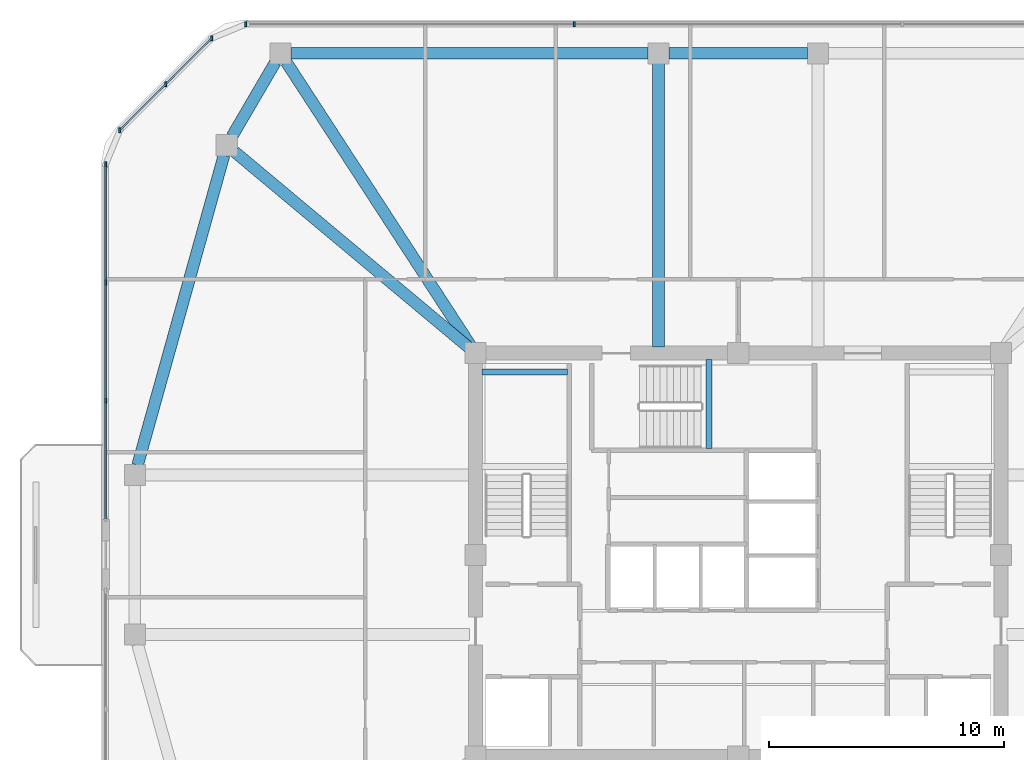
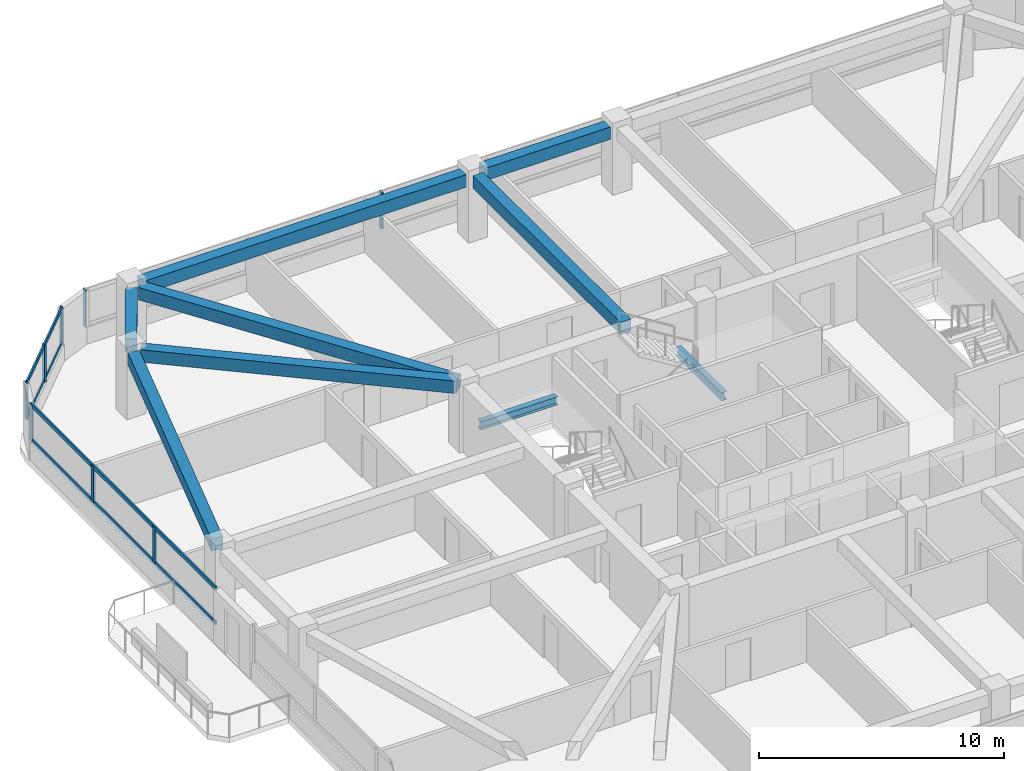
# One storey, part 4 of 13: 12 members, 9 beams, 3 elements without a shape of their own.
"""IFC4 building model written with IfcOpenShell, lengths in metres."""

from ifc_helpers import new_model, si_unit, derived_unit, direction, frame, origin, origin_2d, place, context, subcontext, project, spatial, rectangle, i_section, extrude, material, material_profile, profile_set, type_object, element, aggregate, save


model = new_model("IFC4")

# Units and contexts
model_context = context("Model", 3, precision=1e-05, world=origin(), true_north=direction((0.0, 1.0)))
body_context = subcontext(model_context, "Body", "Model", "MODEL_VIEW")
ifc_project = project(units=[si_unit("LENGTHUNIT", "METRE"), si_unit("AREAUNIT", "SQUARE_METRE"), si_unit("VOLUMEUNIT", "CUBIC_METRE"), si_unit("PLANEANGLEUNIT", "RADIAN"), si_unit("MASSUNIT", "GRAM", prefix="KILO"), derived_unit("THERMALTRANSMITTANCEUNIT", [(si_unit("POWERUNIT", "WATT"), 1), (si_unit("LENGTHUNIT", "METRE"), -2), (si_unit("THERMODYNAMICTEMPERATUREUNIT", "KELVIN"), -1)])], contexts=[model_context])

# Site, building, storey
site_placement = place(None, origin())
site = spatial("IfcSite", under=ifc_project, at=site_placement, CompositionType="ELEMENT")
building_placement = place(site_placement, origin())
building = spatial("IfcBuilding", under=site, at=building_placement, Name="Koralith Skygarden Medical Center", CompositionType="ELEMENT")
storey_placement = place(building_placement, frame((0.0, 0.0, 228.780029296875)))
storey = spatial("IfcBuildingStorey", under=building, at=storey_placement, Name="L59", CompositionType="ELEMENT", Elevation=228.780029296875)

# Curtain wall, members
ifc_material_1 = material(Name="Clear Laminated Glass", Category="glass")
curtain_wall_type = type_object("IfcCurtainWallType", Name="CW-5 Zone 4 Flare Biophilic Curtain Wall", PredefinedType="NOTDEFINED", material=ifc_material_1)
curtain_wall_1_placement = place(storey_placement, origin())
curtain_wall_1 = element("IfcCurtainWall", 1, at=curtain_wall_1_placement, inside=storey, type_object=curtain_wall_type, Name="Curtain Wall CW-L59-N", PredefinedType="NOTDEFINED")
ifc_material_2 = material(Name="Aluminium 6063-T6", Category="aluminium")
ifc_material_profile_1 = material_profile(ifc_material_2, rectangle(XDim=0.080078125, YDim=0.219970703125, at=origin_2d()), Name="MUL80X220")
ifc_profile_set_1 = profile_set([ifc_material_profile_1], Name="Aluminium 6063-T6")
member_type_1 = type_object("IfcMemberType", Name="CW-5 Extruded Mullion 80x220", PredefinedType="MULLION", material=ifc_profile_set_1)
member_1_placement = place(storey_placement, frame((30.00390625, 48.52001953125, 0.849853515625), z_axis=(0.0, 0.0, 1.0), x_axis=(1.0, 0.0, 0.0)))
member_1 = element("IfcMember", 2, at=member_1_placement, type_object=member_type_1, Name="CW-L59-N Mullion 3", PredefinedType="MULLION", context=body_context, shape_type="SweptSolid", body=[
    extrude(rectangle(XDim=0.080078125, YDim=0.219970703125, at=origin_2d()), origin(), (0.0, 0.0, 1.0), 1.820068359375),
])
member_2_placement = place(storey_placement, frame((16.012939453125, 48.52001953125, 0.849853515625), z_axis=(0.0, 0.0, 1.0), x_axis=(1.0, 0.0, 0.0)))
member_2 = element("IfcMember", 3, at=member_2_placement, type_object=member_type_1, Name="CW-L59-N Mullion 4", PredefinedType="MULLION", context=body_context, shape_type="SweptSolid", body=[
    extrude(rectangle(XDim=0.080078125, YDim=0.219970703125, at=origin_2d()), origin(), (0.0, 0.0, 1.0), 1.820068359375),
])
aggregate(curtain_wall_1, [member_1, member_2])

curtain_wall_2_placement = place(storey_placement, origin())
curtain_wall_2 = element("IfcCurtainWall", 4, at=curtain_wall_2_placement, inside=storey, type_object=curtain_wall_type, Name="Curtain Wall CW-L59-NW", PredefinedType="NOTDEFINED")
member_3_placement = place(storey_placement, frame((14.56201171875, 47.9189453125, 0.849853515625), z_axis=(0.0, 0.0, 1.0), x_axis=(1.0, 0.0, 0.0)))
member_3 = element("IfcMember", 5, at=member_3_placement, type_object=member_type_1, Name="CW-L59-NW Mullion 1", PredefinedType="MULLION", context=body_context, shape_type="SweptSolid", body=[
    extrude(rectangle(XDim=0.080078125, YDim=0.219970703125, at=origin_2d()), origin(), (0.0, 0.0, 1.0), 1.820068359375),
])
member_4_placement = place(storey_placement, frame((12.60107421875, 45.95703125, 0.849853515625), z_axis=(0.0, 0.0, 1.0), x_axis=(1.0, 0.0, 0.0)))
member_4 = element("IfcMember", 6, at=member_4_placement, type_object=member_type_1, Name="CW-L59-NW Mullion 2", PredefinedType="MULLION", context=body_context, shape_type="SweptSolid", body=[
    extrude(rectangle(XDim=0.080078125, YDim=0.219970703125, at=origin_2d()), origin(), (0.0, 0.0, 1.0), 1.820068359375),
])
member_5_placement = place(storey_placement, frame((10.638916015625, 43.99609375, 0.849853515625), z_axis=(0.0, 0.0, 1.0), x_axis=(1.0, 0.0, 0.0)))
member_5 = element("IfcMember", 7, at=member_5_placement, type_object=member_type_1, Name="CW-L59-NW Mullion 3", PredefinedType="MULLION", context=body_context, shape_type="SweptSolid", body=[
    extrude(rectangle(XDim=0.080078125, YDim=0.219970703125, at=origin_2d()), origin(), (0.0, 0.0, 1.0), 1.820068359375),
])

curtain_wall_3_placement = place(storey_placement, origin())
curtain_wall_3 = element("IfcCurtainWall", 8, at=curtain_wall_3_placement, inside=storey, type_object=curtain_wall_type, Name="Curtain Wall CW-L59-W-L", PredefinedType="NOTDEFINED")
member_6_placement = place(storey_placement, frame((10.0380859375, 42.544921875, 0.849853515625), z_axis=(0.0, 0.0, 1.0), x_axis=(1.0, 0.0, 0.0)))
member_6 = element("IfcMember", 9, at=member_6_placement, type_object=member_type_1, Name="CW-L59-W-L Mullion 1", PredefinedType="MULLION", context=body_context, shape_type="SweptSolid", body=[
    extrude(rectangle(XDim=0.080078125, YDim=0.219970703125, at=origin_2d()), origin(), (0.0, 0.0, 1.0), 1.820068359375),
])
member_7_placement = place(storey_placement, frame((10.0380859375, 37.510009765625, 0.849853515625), z_axis=(0.0, 0.0, 1.0), x_axis=(1.0, 0.0, 0.0)))
member_7 = element("IfcMember", 10, at=member_7_placement, type_object=member_type_1, Name="CW-L59-W-L Mullion 2", PredefinedType="MULLION", context=body_context, shape_type="SweptSolid", body=[
    extrude(rectangle(XDim=0.080078125, YDim=0.219970703125, at=origin_2d()), origin(), (0.0, 0.0, 1.0), 1.820068359375),
])
member_8_placement = place(storey_placement, frame((10.0380859375, 32.47509765625, 0.849853515625), z_axis=(0.0, 0.0, 1.0), x_axis=(1.0, 0.0, 0.0)))
member_8 = element("IfcMember", 11, at=member_8_placement, type_object=member_type_1, Name="CW-L59-W-L Mullion 3", PredefinedType="MULLION", context=body_context, shape_type="SweptSolid", body=[
    extrude(rectangle(XDim=0.080078125, YDim=0.219970703125, at=origin_2d()), origin(), (0.0, 0.0, 1.0), 1.820068359375),
])

# Member
ifc_material_profile_2 = material_profile(ifc_material_2, rectangle(XDim=0.074951171875, YDim=0.197998046875, at=origin_2d()), Name="TRN75X198")
ifc_profile_set_2 = profile_set([ifc_material_profile_2], Name="Aluminium 6063-T6")
member_type_2 = type_object("IfcMemberType", Name="CW-5 Thermal Transom 75x198", PredefinedType="USERDEFINED", material=ifc_profile_set_2)
member_9_placement = place(storey_placement, frame((14.56201171875, 47.9189453125, 0.89990234375), z_axis=(-0.707128783731, -0.707084777957, 0.0), x_axis=(0.707084777957, -0.707128783731, 0.0)))
member_9 = element("IfcMember", 12, at=member_9_placement, type_object=member_type_2, Name="CW-L59-NW Transom 1", ObjectType="TRANSOM", PredefinedType="USERDEFINED", context=body_context, shape_type="SweptSolid", body=[
    extrude(rectangle(XDim=0.074951171875, YDim=0.197998046875, at=origin_2d()), origin(), (0.0, 0.0, 1.0), 5.5478515625),
])

member_10_placement = place(storey_placement, frame((14.56201171875, 47.9189453125, 2.619873046875), z_axis=(-0.707128783731, -0.707084777957, 0.0), x_axis=(0.707084777957, -0.707128783731, 0.0)))
member_10 = element("IfcMember", 13, at=member_10_placement, type_object=member_type_2, Name="CW-L59-NW Transom 2", ObjectType="TRANSOM", PredefinedType="USERDEFINED", context=body_context, shape_type="SweptSolid", body=[
    extrude(rectangle(XDim=0.074951171875, YDim=0.197998046875, at=origin_2d()), origin(), (0.0, 0.0, 1.0), 5.5478515625),
])

aggregate(curtain_wall_2, [member_3, member_4, member_5, member_9, member_10])

member_11_placement = place(storey_placement, frame((10.0380859375, 42.544921875, 0.89990234375), z_axis=(0.0, -1.0, 0.0), x_axis=(1.0, 0.0, 0.0)))
member_11 = element("IfcMember", 14, at=member_11_placement, type_object=member_type_2, Name="CW-L59-W-L Transom 1", ObjectType="TRANSOM", PredefinedType="USERDEFINED", context=body_context, shape_type="SweptSolid", body=[
    extrude(rectangle(XDim=0.074951171875, YDim=0.197998046875, at=origin_2d()), origin(), (0.0, 0.0, 1.0), 15.10498046875),
])

member_12_placement = place(storey_placement, frame((10.0380859375, 42.544921875, 2.619873046875), z_axis=(0.0, -1.0, 0.0), x_axis=(1.0, 0.0, 0.0)))
member_12 = element("IfcMember", 15, at=member_12_placement, type_object=member_type_2, Name="CW-L59-W-L Transom 2", ObjectType="TRANSOM", PredefinedType="USERDEFINED", context=body_context, shape_type="SweptSolid", body=[
    extrude(rectangle(XDim=0.074951171875, YDim=0.197998046875, at=origin_2d()), origin(), (0.0, 0.0, 1.0), 15.10498046875),
])

aggregate(curtain_wall_3, [member_6, member_7, member_8, member_11, member_12])

# Beams
ifc_material_3 = material(Name="Steel ASTM A992 Grade 50", Category="steel")
ifc_material_profile_3 = material_profile(ifc_material_3, i_section(OverallWidth=0.260009765625, OverallDepth=0.4150390625, WebThickness=0.010009765625, FlangeThickness=0.016845703125, at=origin_2d()), Name="W16X67")
ifc_profile_set_3 = profile_set([ifc_material_profile_3], Name="Steel ASTM A992 Grade 50")
beam_type_1 = type_object("IfcBeamType", Name="Clinical Floor Joist W16X67", PredefinedType="JOIST", material=ifc_profile_set_3)
beam_1_placement = place(storey_placement, frame((26.080078125, 33.699951171875, 1.39306640625), z_axis=(1.0, 0.0, 0.0), x_axis=(0.0, 1.0, 0.0)))
element("IfcBeam", 16, at=beam_1_placement, inside=storey, type_object=beam_type_1, Name="L59 Stair ST1 Half-Landing Support Beam 1B", PredefinedType="JOIST", context=body_context, shape_type="SweptSolid", body=[
    extrude(i_section(OverallWidth=0.260009765625, OverallDepth=0.4150390625, WebThickness=0.010009765625, FlangeThickness=0.016845703125, at=origin_2d()), origin(), (0.0, 0.0, 1.0), 3.639892578125),
])
beam_2_placement = place(storey_placement, frame((35.760009765625, 30.43994140625, 1.39306640625), z_axis=(0.0, 1.0, 0.0), x_axis=(-1.0, 0.0, 0.0)))
element("IfcBeam", 17, at=beam_2_placement, inside=storey, type_object=beam_type_1, Name="L59 Stair ST3 Half-Landing Support Beam 1A", PredefinedType="JOIST", context=body_context, shape_type="SweptSolid", body=[
    extrude(i_section(OverallWidth=0.260009765625, OverallDepth=0.4150390625, WebThickness=0.010009765625, FlangeThickness=0.016845703125, at=origin_2d()), origin(), (0.0, 0.0, 1.0), 3.780029296875),
])
ifc_material_4 = material(Name="Concrete C45/55", Category="concrete")
ifc_material_profile_4 = material_profile(ifc_material_4, rectangle(XDim=0.5, YDim=0.6201171875, at=origin_2d()), Name="RCB500X620")
ifc_profile_set_4 = profile_set([ifc_material_profile_4], Name="Concrete C45/55")
beam_type_2 = type_object("IfcBeamType", Name="Upper Radial Collector Beam RCB500X620", PredefinedType="BEAM", material=ifc_profile_set_4)
beam_3_placement = place(storey_placement, frame((33.60009765625, 34.75, 2.989990234375), z_axis=(0.0, 1.0, 0.0), x_axis=(-1.0, 0.0, 0.0)))
element("IfcBeam", 18, at=beam_3_placement, inside=storey, type_object=beam_type_2, Name="L59 Radial Collector Beam RB-13", PredefinedType="BEAM", context=body_context, shape_type="SweptSolid", body=[
    extrude(rectangle(XDim=0.5, YDim=0.6201171875, at=origin_2d()), origin(), (0.0, 0.0, 1.0), 12.090087890625),
])
beam_4_placement = place(storey_placement, frame((25.6640625, 34.7099609375, 2.989990234375), z_axis=(-0.545156385215, 0.838334369842, 0.0), x_axis=(-0.838334369842, -0.545156385215, 0.0)))
element("IfcBeam", 19, at=beam_4_placement, inside=storey, type_object=beam_type_2, Name="L59 Radial Collector Beam RB-14", PredefinedType="BEAM", context=body_context, shape_type="SweptSolid", body=[
    extrude(rectangle(XDim=0.5, YDim=0.6201171875, at=origin_2d()), origin(), (0.0, 0.0, 1.0), 14.5537109375),
])
beam_5_placement = place(storey_placement, frame((25.60791015625, 34.659912109375, 2.989990234375), z_axis=(-0.767298159165, 0.64129052304, 0.0), x_axis=(-0.64129052304, -0.767298159165, 0.0)))
element("IfcBeam", 20, at=beam_5_placement, inside=storey, type_object=beam_type_2, Name="L59 Radial Collector Beam RB-15", PredefinedType="BEAM", context=body_context, shape_type="SweptSolid", body=[
    extrude(rectangle(XDim=0.5, YDim=0.6201171875, at=origin_2d()), origin(), (0.0, 0.0, 1.0), 13.126708984375),
])
ifc_material_profile_5 = material_profile(ifc_material_4, rectangle(XDim=0.5, YDim=0.6201171875, at=origin_2d()), Name="RCB500X620")
ifc_profile_set_5 = profile_set([ifc_material_profile_5], Name="Concrete C45/55")
beam_type_3 = type_object("IfcBeamType", Name="Zone 4-5 Spandrel Beam RCB500X620", PredefinedType="SPANDREL", material=ifc_profile_set_5)
beam_6_placement = place(storey_placement, frame((39.9599609375, 47.280029296875, 2.989990234375), z_axis=(-1.0, 0.0, 0.0), x_axis=(0.0, -1.0, 0.0)))
element("IfcBeam", 21, at=beam_6_placement, inside=storey, type_object=beam_type_3, Name="L59 Perimeter Spandrel Beam SP-12", PredefinedType="SPANDREL", context=body_context, shape_type="SweptSolid", body=[
    extrude(rectangle(XDim=0.5, YDim=0.6201171875, at=origin_2d()), origin(), (0.0, 0.0, 1.0), 5.919921875),
])
beam_7_placement = place(storey_placement, frame((33.159912109375, 47.280029296875, 2.989990234375), z_axis=(-1.0, 0.0, 0.0), x_axis=(0.0, -1.0, 0.0)))
element("IfcBeam", 22, at=beam_7_placement, inside=storey, type_object=beam_type_3, Name="L59 Perimeter Spandrel Beam SP-13", PredefinedType="SPANDREL", context=body_context, shape_type="SweptSolid", body=[
    extrude(rectangle(XDim=0.5, YDim=0.6201171875, at=origin_2d()), origin(), (0.0, 0.0, 1.0), 15.22998046875),
])
beam_8_placement = place(storey_placement, frame((17.26806640625, 46.89990234375, 2.989990234375), z_axis=(-0.504861750403, -0.863200216045, 0.0), x_axis=(0.863200216045, -0.504861750403, 0.0)))
element("IfcBeam", 23, at=beam_8_placement, inside=storey, type_object=beam_type_3, Name="L59 Perimeter Spandrel Beam SP-14", PredefinedType="SPANDREL", context=body_context, shape_type="SweptSolid", body=[
    extrude(rectangle(XDim=0.5, YDim=0.6201171875, at=origin_2d()), origin(), (0.0, 0.0, 1.0), 3.66064453125),
])
beam_9_placement = place(storey_placement, frame((15.080078125, 42.93603515625, 2.989990234375), z_axis=(-0.26859849356, -0.96325222515, 0.0), x_axis=(0.96325222515, -0.26859849356, 0.0)))
element("IfcBeam", 24, at=beam_9_placement, inside=storey, type_object=beam_type_3, Name="L59 Perimeter Spandrel Beam SP-15", PredefinedType="SPANDREL", context=body_context, shape_type="SweptSolid", body=[
    extrude(rectangle(XDim=0.5, YDim=0.6201171875, at=origin_2d()), origin(), (0.0, 0.0, 1.0), 13.716064453125),
])

save(model, "model.ifc")
